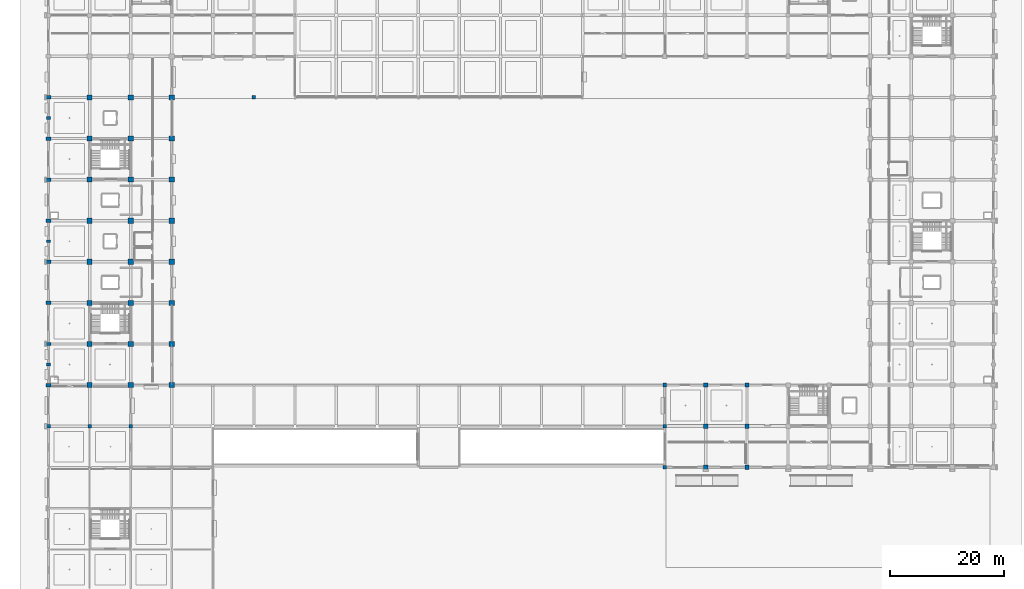
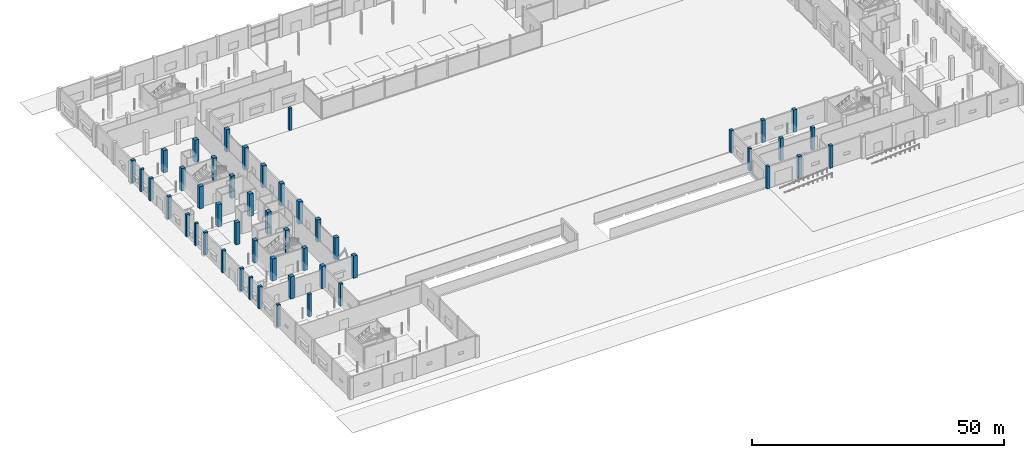
# One storey, part 3 of 90: 48 columns.
"""IFC4 building model written with IfcOpenShell, lengths in metres."""

from ifc_helpers import new_model, si_unit, direction, frame, origin, origin_2d, place, context, subcontext, project, spatial, rectangle, extrude, material, material_profile, profile_set, type_object, element, save


model = new_model("IFC4")

# Units and contexts
model_context = context("Model", 3, precision=1e-05, world=origin(), true_north=direction((0.0, 1.0)))
body_context = subcontext(model_context, "Body", "Model", "MODEL_VIEW")
ifc_project = project(units=[si_unit("LENGTHUNIT", "METRE"), si_unit("AREAUNIT", "SQUARE_METRE"), si_unit("VOLUMEUNIT", "CUBIC_METRE"), si_unit("PLANEANGLEUNIT", "RADIAN"), si_unit("MASSUNIT", "GRAM", prefix="KILO")], contexts=[model_context])

# Site, building, storey
site_placement = place(None, origin())
site = spatial("IfcSite", under=ifc_project, at=site_placement, CompositionType="ELEMENT")
building_placement = place(site_placement, origin())
building = spatial("IfcBuilding", under=site, at=building_placement, Name="Kangsadwip Square Police Headquarters", CompositionType="ELEMENT")
storey_placement = place(building_placement, origin())
storey = spatial("IfcBuildingStorey", under=building, at=storey_placement, Name="L00", CompositionType="ELEMENT", Elevation=0.0)

# Columns
ifc_material_1 = material(Name="Concrete M35 (35 MPa)", Category="concrete")
ifc_material_profile_1 = material_profile(ifc_material_1, rectangle(XDim=0.60009765625, YDim=0.60009765625, at=origin_2d()), Name="RC COL 600X600")
ifc_profile_set_1 = profile_set([ifc_material_profile_1], Name="Concrete M35 (35 MPa)")
column_type_1 = type_object("IfcColumnType", Name="RcCol600x600", PredefinedType="COLUMN", material=ifc_profile_set_1)
column_placement = place(storey_placement, frame((36.0, 86.39990234375, 0.0), z_axis=(0.0, 0.0, 1.0), x_axis=(1.0, 0.0, 0.0)))
element("IfcColumn", 1, at=column_placement, inside=storey, type_object=column_type_1, Name="Column COL-L00-05-12", PredefinedType="COLUMN", context=body_context, shape_type="SweptSolid", body=[
    extrude(rectangle(XDim=0.60009765625, YDim=0.60009765625, at=origin_2d()), origin(), (0.0, 0.0, 1.0), 5.39990234375),
])
ifc_material_2 = material(Name="Concrete M40 (40 MPa)", Category="concrete")
ifc_material_profile_2 = material_profile(ifc_material_2, rectangle(XDim=0.64990234375, YDim=0.64990234375, at=origin_2d()), Name="RC COL 650X650")
ifc_profile_set_2 = profile_set([ifc_material_profile_2], Name="Concrete M40 (40 MPa)")
column_type_2 = type_object("IfcColumnType", Name="RcCol650x650", PredefinedType="COLUMN", material=ifc_profile_set_2)
for number, where, z_axis, x_axis, name in (
    (2, (0.0, 28.800048828125, 0.0), (0.0, 0.0, 1.0), (1.0, 0.0, 0.0), "Column COL-L00-00-04"),
    (3, (7.199951171875, 28.800048828125, 0.0), (0.0, 0.0, 1.0), (1.0, 0.0, 0.0), "Column COL-L00-01-04"),
    (4, (14.39990234375, 28.800048828125, 0.0), (0.0, 0.0, 1.0), (1.0, 0.0, 0.0), "Column COL-L00-02-04"),
    (5, (108.0, 21.60009765625, 0.0), (0.0, 0.0, 1.0), (1.0, 0.0, 0.0), "Column COL-L00-15-03"),
    (6, (108.0, 28.800048828125, 0.0), (0.0, 0.0, 1.0), (1.0, 0.0, 0.0), "Column COL-L00-15-04"),
    (7, (108.0, 36.0, 0.0), (0.0, 0.0, 1.0), (1.0, 0.0, 0.0), "Column COL-L00-15-05"),
):
    element("IfcColumn", number, at=place(storey_placement, frame(where, z_axis=z_axis, x_axis=x_axis)), inside=storey, type_object=column_type_2, Name=name, PredefinedType="COLUMN", context=body_context, shape_type="SweptSolid", body=[
        extrude(rectangle(XDim=0.64990234375, YDim=0.64990234375, at=origin_2d()), origin(), (0.0, 0.0, 1.0), 5.39990234375),
    ])
ifc_material_3 = material(Name="Concrete M40 (40 MPa)", Category="concrete")
ifc_material_profile_3 = material_profile(ifc_material_3, rectangle(XDim=0.75, YDim=0.75, at=origin_2d()), Name="RC COL 750X750")
ifc_profile_set_3 = profile_set([ifc_material_profile_3], Name="Concrete M40 (40 MPa)")
column_type_3 = type_object("IfcColumnType", Name="RcCol750x750", PredefinedType="COLUMN", material=ifc_profile_set_3)
for number, where, z_axis, x_axis, name in (
    (8, (115.199951171875, 21.60009765625, 0.0), (0.0, 0.0, 1.0), (1.0, 0.0, 0.0), "Column COL-L00-16-03"),
    (9, (115.199951171875, 28.800048828125, 0.0), (0.0, 0.0, 1.0), (1.0, 0.0, 0.0), "Column COL-L00-16-04"),
    (10, (115.199951171875, 36.0, 0.0), (0.0, 0.0, 1.0), (1.0, 0.0, 0.0), "Column COL-L00-16-05"),
    (11, (122.39990234375, 21.60009765625, 0.0), (0.0, 0.0, 1.0), (1.0, 0.0, 0.0), "Column COL-L00-17-03"),
    (12, (122.39990234375, 28.800048828125, 0.0), (0.0, 0.0, 1.0), (1.0, 0.0, 0.0), "Column COL-L00-17-04"),
    (13, (122.39990234375, 36.0, 0.0), (0.0, 0.0, 1.0), (1.0, 0.0, 0.0), "Column COL-L00-17-05"),
):
    element("IfcColumn", number, at=place(storey_placement, frame(where, z_axis=z_axis, x_axis=x_axis)), inside=storey, type_object=column_type_3, Name=name, PredefinedType="COLUMN", context=body_context, shape_type="SweptSolid", body=[
        extrude(rectangle(XDim=0.75, YDim=0.75, at=origin_2d()), origin(), (0.0, 0.0, 1.0), 5.39990234375),
    ])
ifc_material_4 = material(Name="Concrete M40 (40 MPa)", Category="concrete")
ifc_material_profile_4 = material_profile(ifc_material_4, rectangle(XDim=0.60009765625, YDim=0.800048828125, at=origin_2d()), Name="RC COL 800X600")
ifc_profile_set_4 = profile_set([ifc_material_profile_4], Name="Concrete M40 (40 MPa)")
column_type_4 = type_object("IfcColumnType", Name="RcCol800x600", PredefinedType="COLUMN", material=ifc_profile_set_4)
for number, where, z_axis, x_axis, name in (
    (14, (0.0, 36.0, 0.0), (0.0, 0.0, 1.0), (0.0, 1.0, 0.0), "Column COL-L00-00-05"),
    (15, (0.0, 43.199951171875, 0.0), (0.0, 0.0, 1.0), (0.0, 1.0, 0.0), "Column COL-L00-00-06"),
    (16, (0.0, 50.39990234375, 0.0), (0.0, 0.0, 1.0), (0.0, 1.0, 0.0), "Column COL-L00-00-07"),
    (17, (0.0, 57.60009765625, 0.0), (0.0, 0.0, 1.0), (0.0, 1.0, 0.0), "Column COL-L00-00-08"),
    (18, (0.0, 64.800048828125, 0.0), (0.0, 0.0, 1.0), (0.0, 1.0, 0.0), "Column COL-L00-00-09"),
    (19, (0.0, 72.0, 0.0), (0.0, 0.0, 1.0), (0.0, 1.0, 0.0), "Column COL-L00-00-10"),
    (20, (0.0, 79.199951171875, 0.0), (0.0, 0.0, 1.0), (0.0, 1.0, 0.0), "Column COL-L00-00-11"),
    (21, (0.0, 86.39990234375, 0.0), (0.0, 0.0, 1.0), (0.0, 1.0, 0.0), "Column COL-L00-00-12"),
):
    element("IfcColumn", number, at=place(storey_placement, frame(where, z_axis=z_axis, x_axis=x_axis)), inside=storey, type_object=column_type_4, Name=name, PredefinedType="COLUMN", context=body_context, shape_type="SweptSolid", body=[
        extrude(rectangle(XDim=0.60009765625, YDim=0.800048828125, at=origin_2d()), origin(), (0.0, 0.0, 1.0), 5.39990234375),
    ])
ifc_material_5 = material(Name="Concrete M40 (40 MPa)", Category="concrete")
ifc_material_profile_5 = material_profile(ifc_material_5, rectangle(XDim=0.89990234375, YDim=0.89990234375, at=origin_2d()), Name="RC COL 900X900")
ifc_profile_set_5 = profile_set([ifc_material_profile_5], Name="Concrete M40 (40 MPa)")
column_type_5 = type_object("IfcColumnType", Name="RcCol900x900", PredefinedType="COLUMN", material=ifc_profile_set_5)
for number, where, z_axis, x_axis, name in (
    (22, (7.199951171875, 36.0, 0.0), (0.0, 0.0, 1.0), (1.0, 0.0, 0.0), "Column COL-L00-01-05"),
    (23, (7.199951171875, 43.199951171875, 0.0), (0.0, 0.0, 1.0), (1.0, 0.0, 0.0), "Column COL-L00-01-06"),
    (24, (7.199951171875, 50.39990234375, 0.0), (0.0, 0.0, 1.0), (1.0, 0.0, 0.0), "Column COL-L00-01-07"),
    (25, (7.199951171875, 57.60009765625, 0.0), (0.0, 0.0, 1.0), (1.0, 0.0, 0.0), "Column COL-L00-01-08"),
    (26, (7.199951171875, 64.800048828125, 0.0), (0.0, 0.0, 1.0), (1.0, 0.0, 0.0), "Column COL-L00-01-09"),
    (27, (7.199951171875, 72.0, 0.0), (0.0, 0.0, 1.0), (1.0, 0.0, 0.0), "Column COL-L00-01-10"),
    (28, (7.199951171875, 79.199951171875, 0.0), (0.0, 0.0, 1.0), (1.0, 0.0, 0.0), "Column COL-L00-01-11"),
    (29, (7.199951171875, 86.39990234375, 0.0), (0.0, 0.0, 1.0), (1.0, 0.0, 0.0), "Column COL-L00-01-12"),
    (30, (14.39990234375, 36.0, 0.0), (0.0, 0.0, 1.0), (1.0, 0.0, 0.0), "Column COL-L00-02-05"),
    (31, (14.39990234375, 43.199951171875, 0.0), (0.0, 0.0, 1.0), (1.0, 0.0, 0.0), "Column COL-L00-02-06"),
    (32, (14.39990234375, 50.39990234375, 0.0), (0.0, 0.0, 1.0), (1.0, 0.0, 0.0), "Column COL-L00-02-07"),
    (33, (14.39990234375, 57.60009765625, 0.0), (0.0, 0.0, 1.0), (1.0, 0.0, 0.0), "Column COL-L00-02-08"),
    (34, (14.39990234375, 64.800048828125, 0.0), (0.0, 0.0, 1.0), (1.0, 0.0, 0.0), "Column COL-L00-02-09"),
    (35, (14.39990234375, 72.0, 0.0), (0.0, 0.0, 1.0), (1.0, 0.0, 0.0), "Column COL-L00-02-10"),
    (36, (14.39990234375, 79.199951171875, 0.0), (0.0, 0.0, 1.0), (1.0, 0.0, 0.0), "Column COL-L00-02-11"),
    (37, (14.39990234375, 86.39990234375, 0.0), (0.0, 0.0, 1.0), (1.0, 0.0, 0.0), "Column COL-L00-02-12"),
    (38, (21.60009765625, 36.0, 0.0), (0.0, 0.0, 1.0), (1.0, 0.0, 0.0), "Column COL-L00-03-05"),
    (39, (21.60009765625, 43.199951171875, 0.0), (0.0, 0.0, 1.0), (1.0, 0.0, 0.0), "Column COL-L00-03-06"),
    (40, (21.60009765625, 50.39990234375, 0.0), (0.0, 0.0, 1.0), (1.0, 0.0, 0.0), "Column COL-L00-03-07"),
    (41, (21.60009765625, 57.60009765625, 0.0), (0.0, 0.0, 1.0), (1.0, 0.0, 0.0), "Column COL-L00-03-08"),
    (42, (21.60009765625, 64.800048828125, 0.0), (0.0, 0.0, 1.0), (1.0, 0.0, 0.0), "Column COL-L00-03-09"),
    (43, (21.60009765625, 72.0, 0.0), (0.0, 0.0, 1.0), (1.0, 0.0, 0.0), "Column COL-L00-03-10"),
    (44, (21.60009765625, 79.199951171875, 0.0), (0.0, 0.0, 1.0), (1.0, 0.0, 0.0), "Column COL-L00-03-11"),
    (45, (21.60009765625, 86.39990234375, 0.0), (0.0, 0.0, 1.0), (1.0, 0.0, 0.0), "Column COL-L00-03-12"),
):
    element("IfcColumn", number, at=place(storey_placement, frame(where, z_axis=z_axis, x_axis=x_axis)), inside=storey, type_object=column_type_5, Name=name, PredefinedType="COLUMN", context=body_context, shape_type="SweptSolid", body=[
        extrude(rectangle(XDim=0.89990234375, YDim=0.89990234375, at=origin_2d()), origin(), (0.0, 0.0, 1.0), 5.39990234375),
    ])
ifc_material_6 = material(Name="Concrete M40 (40 MPa)", Category="concrete")
ifc_material_profile_6 = material_profile(ifc_material_6, rectangle(XDim=0.449951171875, YDim=0.75, at=origin_2d()), Name="RC PIL 750X450")
ifc_profile_set_6 = profile_set([ifc_material_profile_6], Name="Concrete M40 (40 MPa)")
column_type_6 = type_object("IfcColumnType", Name="RcPil750x450", PredefinedType="PILASTER", material=ifc_profile_set_6)
for number, where, z_axis, x_axis, name in (
    (46, (0.0, 39.60009765625, 0.0), (0.0, 0.0, 1.0), (0.0, 1.0, 0.0), "Colonnade Pilaster PIL-L00-002"),
    (47, (0.0, 61.199951171875, 0.0), (0.0, 0.0, 1.0), (0.0, 1.0, 0.0), "Colonnade Pilaster PIL-L00-011"),
    (48, (0.0, 82.800048828125, 0.0), (0.0, 0.0, 1.0), (0.0, 1.0, 0.0), "Colonnade Pilaster PIL-L00-020"),
):
    element("IfcColumn", number, at=place(storey_placement, frame(where, z_axis=z_axis, x_axis=x_axis)), inside=storey, type_object=column_type_6, Name=name, PredefinedType="PILASTER", context=body_context, shape_type="SweptSolid", body=[
        extrude(rectangle(XDim=0.449951171875, YDim=0.75, at=origin_2d()), origin(), (0.0, 0.0, 1.0), 5.39990234375),
    ])

save(model, "model.ifc")
